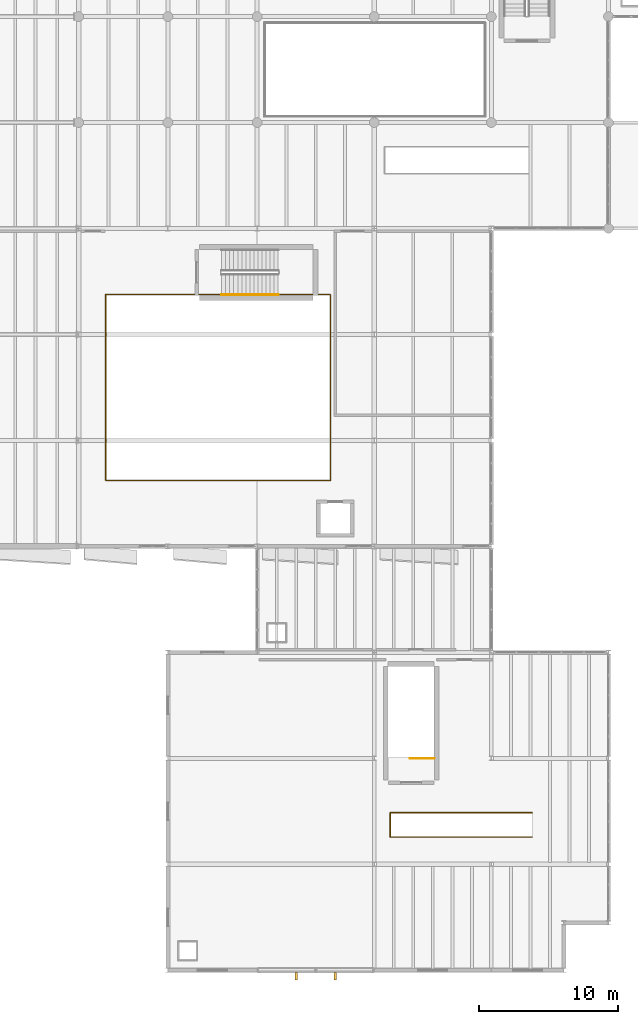
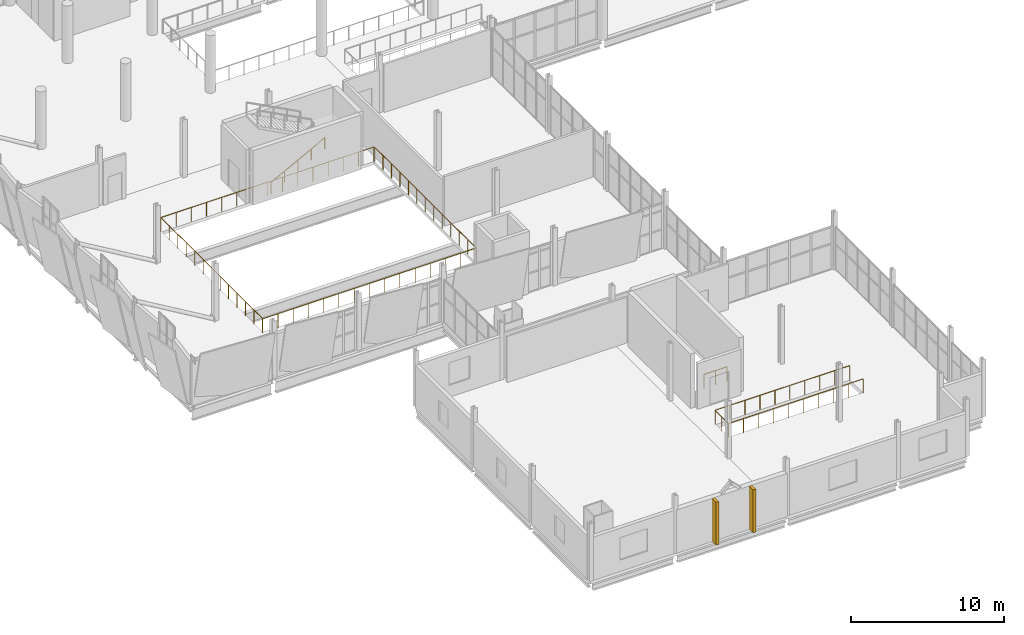
# One storey, part 127 of 136: 5 railings, 2 shading devices.
"""IFC4 building model written with IfcOpenShell, lengths in metres."""

from ifc_helpers import new_model, si_unit, direction, frame, origin, origin_2d, place, context, subcontext, project, spatial, rectangle, circle, extrude, material, layer, layer_set, type_object, element, save


model = new_model("IFC4")

# Units and contexts
model_context = context("Model", 3, precision=1e-05, world=origin(), true_north=direction((0.0, 1.0)))
body_context = subcontext(model_context, "Body", "Model", "MODEL_VIEW")
ifc_project = project(units=[si_unit("LENGTHUNIT", "METRE"), si_unit("AREAUNIT", "SQUARE_METRE"), si_unit("VOLUMEUNIT", "CUBIC_METRE"), si_unit("PLANEANGLEUNIT", "RADIAN"), si_unit("MASSUNIT", "GRAM", prefix="KILO")], contexts=[model_context])

# Site, building, storey
site_placement = place(None, origin())
site = spatial("IfcSite", under=ifc_project, at=site_placement, CompositionType="ELEMENT")
building_placement = place(site_placement, origin())
building = spatial("IfcBuilding", under=site, at=building_placement, Name="Shengluoqiao Park Theatre", CompositionType="ELEMENT")
storey_placement = place(building_placement, frame((0.0, 0.0, 10.0)))
storey = spatial("IfcBuildingStorey", under=building, at=storey_placement, Name="L02", CompositionType="ELEMENT", Elevation=10.0)

# Shading devices
ifc_material_1 = material(Name="Concrete C45", Category="concrete")
ifc_layer = layer(ifc_material_1, 0.199951171875, Name="Concrete C45")
ifc_layer_set = layer_set([ifc_layer], Name="Concrete C45")
shading_device_type = type_object("IfcShadingDeviceType", Name="ENV-FIN-520x200", PredefinedType="USERDEFINED", material=ifc_layer_set)
for number, where, z_axis, x_axis, name in (
    (1, (22.00341796875, -0.43505859375, 0.02001953125), (0.0, 0.0, 1.0), (0.0, -1.0, 0.0), "L02 Vertical Concrete Acoustic Rib 0144"),
    (2, (24.796630859375, -0.43505859375, 0.02001953125), (0.0, 0.0, 1.0), (0.0, -1.0, 0.0), "L02 Vertical Concrete Acoustic Rib 0145"),
):
    element("IfcShadingDevice", number, at=place(storey_placement, frame(where, z_axis=z_axis, x_axis=x_axis)), inside=storey, type_object=shading_device_type, Name=name, ObjectType="FIN", PredefinedType="USERDEFINED", context=body_context, shape_type="SweptSolid", body=[
        extrude(rectangle(XDim=0.52001953125, YDim=0.199951171875, at=origin_2d()), origin(), (0.0, 0.0, 1.0), 3.41796875),
    ])

# Railings
ifc_material_2 = material(Name="Tempered laminated glass", Category="glass")
railing_type_1 = type_object("IfcRailingType", Name="INT-RL-BAL115", PredefinedType="BALUSTRADE", material=ifc_material_2)
railing_1_placement = place(storey_placement, frame((38.919921875, 9.550048828125, 0.0)))
element("IfcRailing", 3, at=railing_1_placement, inside=storey, type_object=railing_type_1, Name="Park-Court Gallery Stair 08 Upper Upper Well Guard", PredefinedType="BALUSTRADE", context=body_context, shape_type="SweptSolid", body=[
    extrude(circle(Radius=0.02392578125, at=origin_2d()), frame((0.0, 0.0, 1.1259765625), z_axis=(-1.0, 0.0, 0.0), x_axis=(0.0, -1.0, 0.0)), (0.0, 0.0, 1.0), 10.169921875),
    extrude(circle(Radius=0.02392578125, at=origin_2d()), frame((-10.169921875, 0.0, 1.1259765625), z_axis=(0.0, 1.0, 0.0), x_axis=(-1.0, 0.0, 0.0)), (0.0, 0.0, 1.0), 1.75),
    extrude(circle(Radius=0.02392578125, at=origin_2d()), frame((-10.169921875, 1.75, 1.1259765625), z_axis=(1.0, 0.0, 0.0), x_axis=(0.0, 1.0, 0.0)), (0.0, 0.0, 1.0), 10.169921875),
    extrude(circle(Radius=0.02099609375, at=origin_2d()), origin(), (0.0, 0.0, 1.0), 1.101806640625),
    extrude(circle(Radius=0.02099609375, at=origin_2d()), frame((-1.1298828125, 0.0, 0.0)), (0.0, 0.0, 1.0), 1.101806640625),
    extrude(circle(Radius=0.02099609375, at=origin_2d()), frame((-2.260009765625, 0.0, 0.0)), (0.0, 0.0, 1.0), 1.101806640625),
    extrude(circle(Radius=0.02099609375, at=origin_2d()), frame((-3.389892578125, 0.0, 0.0)), (0.0, 0.0, 1.0), 1.101806640625),
    extrude(circle(Radius=0.02099609375, at=origin_2d()), frame((-4.52001953125, 0.0, 0.0)), (0.0, 0.0, 1.0), 1.101806640625),
    extrude(circle(Radius=0.02099609375, at=origin_2d()), frame((-5.64990234375, 0.0, 0.0)), (0.0, 0.0, 1.0), 1.101806640625),
    extrude(circle(Radius=0.02099609375, at=origin_2d()), frame((-6.780029296875, 0.0, 0.0)), (0.0, 0.0, 1.0), 1.101806640625),
    extrude(circle(Radius=0.02099609375, at=origin_2d()), frame((-7.909912109375, 0.0, 0.0)), (0.0, 0.0, 1.0), 1.101806640625),
    extrude(circle(Radius=0.02099609375, at=origin_2d()), frame((-9.0400390625, 0.0, 0.0)), (0.0, 0.0, 1.0), 1.101806640625),
    extrude(circle(Radius=0.02099609375, at=origin_2d()), frame((-10.169921875, 0.0, 0.0)), (0.0, 0.0, 1.0), 1.101806640625),
    extrude(circle(Radius=0.02099609375, at=origin_2d()), frame((-10.169921875, 0.875, 0.0)), (0.0, 0.0, 1.0), 1.101806640625),
    extrude(circle(Radius=0.02099609375, at=origin_2d()), frame((-10.169921875, 1.75, 0.0)), (0.0, 0.0, 1.0), 1.101806640625),
    extrude(circle(Radius=0.02099609375, at=origin_2d()), frame((-9.0400390625, 1.75, 0.0)), (0.0, 0.0, 1.0), 1.101806640625),
    extrude(circle(Radius=0.02099609375, at=origin_2d()), frame((-7.909912109375, 1.75, 0.0)), (0.0, 0.0, 1.0), 1.101806640625),
    extrude(circle(Radius=0.02099609375, at=origin_2d()), frame((-6.780029296875, 1.75, 0.0)), (0.0, 0.0, 1.0), 1.101806640625),
    extrude(circle(Radius=0.02099609375, at=origin_2d()), frame((-5.64990234375, 1.75, 0.0)), (0.0, 0.0, 1.0), 1.101806640625),
    extrude(circle(Radius=0.02099609375, at=origin_2d()), frame((-4.52001953125, 1.75, 0.0)), (0.0, 0.0, 1.0), 1.101806640625),
    extrude(circle(Radius=0.02099609375, at=origin_2d()), frame((-3.389892578125, 1.75, 0.0)), (0.0, 0.0, 1.0), 1.101806640625),
    extrude(circle(Radius=0.02099609375, at=origin_2d()), frame((-2.260009765625, 1.75, 0.0)), (0.0, 0.0, 1.0), 1.101806640625),
    extrude(circle(Radius=0.02099609375, at=origin_2d()), frame((-1.1298828125, 1.75, 0.0)), (0.0, 0.0, 1.0), 1.101806640625),
    extrude(circle(Radius=0.02099609375, at=origin_2d()), frame((0.0, 1.75, 0.0)), (0.0, 0.0, 1.0), 1.101806640625),
])
ifc_material_3 = material(Name="Steel Q355", Category="steel")
railing_type_2 = type_object("IfcRailingType", Name="INT-RL-FLY115", PredefinedType="GUARDRAIL", material=ifc_material_3)
railing_2_placement = place(storey_placement, frame((8.340087890625, 35.139892578125, 0.0)))
element("IfcRailing", 4, at=railing_2_placement, inside=storey, type_object=railing_type_2, Name="L02 VOID-L02-STUDIO South-East Balustrade 0008", PredefinedType="GUARDRAIL", context=body_context, shape_type="SweptSolid", body=[
    extrude(circle(Radius=0.02392578125, at=origin_2d()), frame((0.0, 0.0, 1.1259765625), z_axis=(1.0, 0.0, 0.0), x_axis=(0.0, 1.0, 0.0)), (0.0, 0.0, 1.0), 16.119873046875),
    extrude(circle(Radius=0.02392578125, at=origin_2d()), frame((16.119873046875, 0.0, 1.1259765625), z_axis=(0.0, 1.0, 0.0), x_axis=(-1.0, 0.0, 0.0)), (0.0, 0.0, 1.0), 13.280029296875),
    extrude(circle(Radius=0.02099609375, at=origin_2d()), origin(), (0.0, 0.0, 1.0), 1.101806640625),
    extrude(circle(Radius=0.02099609375, at=origin_2d()), frame((1.1513671875, 0.0, 0.0)), (0.0, 0.0, 1.0), 1.101806640625),
    extrude(circle(Radius=0.02099609375, at=origin_2d()), frame((2.302734375, 0.0, 0.0)), (0.0, 0.0, 1.0), 1.101806640625),
    extrude(circle(Radius=0.02099609375, at=origin_2d()), frame((3.454345703125, 0.0, 0.0)), (0.0, 0.0, 1.0), 1.101806640625),
    extrude(circle(Radius=0.02099609375, at=origin_2d()), frame((4.605712890625, 0.0, 0.0)), (0.0, 0.0, 1.0), 1.101806640625),
    extrude(circle(Radius=0.02099609375, at=origin_2d()), frame((5.757080078125, 0.0, 0.0)), (0.0, 0.0, 1.0), 1.101806640625),
    extrude(circle(Radius=0.02099609375, at=origin_2d()), frame((6.908447265625, 0.0, 0.0)), (0.0, 0.0, 1.0), 1.101806640625),
    extrude(circle(Radius=0.02099609375, at=origin_2d()), frame((8.06005859375, 0.0, 0.0)), (0.0, 0.0, 1.0), 1.101806640625),
    extrude(circle(Radius=0.02099609375, at=origin_2d()), frame((9.21142578125, 0.0, 0.0)), (0.0, 0.0, 1.0), 1.101806640625),
    extrude(circle(Radius=0.02099609375, at=origin_2d()), frame((10.36279296875, 0.0, 0.0)), (0.0, 0.0, 1.0), 1.101806640625),
    extrude(circle(Radius=0.02099609375, at=origin_2d()), frame((11.51416015625, 0.0, 0.0)), (0.0, 0.0, 1.0), 1.101806640625),
    extrude(circle(Radius=0.02099609375, at=origin_2d()), frame((12.66552734375, 0.0, 0.0)), (0.0, 0.0, 1.0), 1.101806640625),
    extrude(circle(Radius=0.02099609375, at=origin_2d()), frame((13.817138671875, 0.0, 0.0)), (0.0, 0.0, 1.0), 1.101806640625),
    extrude(circle(Radius=0.02099609375, at=origin_2d()), frame((14.968505859375, 0.0, 0.0)), (0.0, 0.0, 1.0), 1.101806640625),
    extrude(circle(Radius=0.02099609375, at=origin_2d()), frame((16.119873046875, 0.0, 0.0)), (0.0, 0.0, 1.0), 1.101806640625),
    extrude(circle(Radius=0.02099609375, at=origin_2d()), frame((16.119873046875, 1.106689453125, 0.0)), (0.0, 0.0, 1.0), 1.101806640625),
    extrude(circle(Radius=0.02099609375, at=origin_2d()), frame((16.119873046875, 2.21337890625, 0.0)), (0.0, 0.0, 1.0), 1.101806640625),
    extrude(circle(Radius=0.02099609375, at=origin_2d()), frame((16.119873046875, 3.320068359375, 0.0)), (0.0, 0.0, 1.0), 1.101806640625),
    extrude(circle(Radius=0.02099609375, at=origin_2d()), frame((16.119873046875, 4.4267578125, 0.0)), (0.0, 0.0, 1.0), 1.101806640625),
    extrude(circle(Radius=0.02099609375, at=origin_2d()), frame((16.119873046875, 5.533447265625, 0.0)), (0.0, 0.0, 1.0), 1.101806640625),
    extrude(circle(Radius=0.02099609375, at=origin_2d()), frame((16.119873046875, 6.64013671875, 0.0)), (0.0, 0.0, 1.0), 1.101806640625),
    extrude(circle(Radius=0.02099609375, at=origin_2d()), frame((16.119873046875, 7.74658203125, 0.0)), (0.0, 0.0, 1.0), 1.101806640625),
    extrude(circle(Radius=0.02099609375, at=origin_2d()), frame((16.119873046875, 8.853271484375, 0.0)), (0.0, 0.0, 1.0), 1.101806640625),
    extrude(circle(Radius=0.02099609375, at=origin_2d()), frame((16.119873046875, 9.9599609375, 0.0)), (0.0, 0.0, 1.0), 1.101806640625),
    extrude(circle(Radius=0.02099609375, at=origin_2d()), frame((16.119873046875, 11.066650390625, 0.0)), (0.0, 0.0, 1.0), 1.101806640625),
    extrude(circle(Radius=0.02099609375, at=origin_2d()), frame((16.119873046875, 12.17333984375, 0.0)), (0.0, 0.0, 1.0), 1.101806640625),
    extrude(circle(Radius=0.02099609375, at=origin_2d()), frame((16.119873046875, 13.280029296875, 0.0)), (0.0, 0.0, 1.0), 1.101806640625),
])
railing_3_placement = place(storey_placement, frame((24.419921875, 48.4599609375, 0.0)))
element("IfcRailing", 5, at=railing_3_placement, inside=storey, type_object=railing_type_2, Name="L02 VOID-L02-STUDIO North-West Balustrade 0009", PredefinedType="GUARDRAIL", context=body_context, shape_type="SweptSolid", body=[
    extrude(circle(Radius=0.02392578125, at=origin_2d()), frame((0.0, 0.0, 1.1259765625), z_axis=(-1.0, 0.0, 0.0), x_axis=(0.0, -1.0, 0.0)), (0.0, 0.0, 1.0), 16.079833984375),
    extrude(circle(Radius=0.02392578125, at=origin_2d()), frame((-16.079833984375, 0.0, 1.1259765625), z_axis=(0.0, -1.0, 0.0), x_axis=(1.0, 0.0, 0.0)), (0.0, 0.0, 1.0), 13.280029296875),
    extrude(circle(Radius=0.02099609375, at=origin_2d()), origin(), (0.0, 0.0, 1.0), 1.101806640625),
    extrude(circle(Radius=0.02099609375, at=origin_2d()), frame((-1.1484375, 0.0, 0.0)), (0.0, 0.0, 1.0), 1.101806640625),
    extrude(circle(Radius=0.02099609375, at=origin_2d()), frame((-2.297119140625, 0.0, 0.0)), (0.0, 0.0, 1.0), 1.101806640625),
    extrude(circle(Radius=0.02099609375, at=origin_2d()), frame((-3.44580078125, 0.0, 0.0)), (0.0, 0.0, 1.0), 1.101806640625),
    extrude(circle(Radius=0.02099609375, at=origin_2d()), frame((-4.59423828125, 0.0, 0.0)), (0.0, 0.0, 1.0), 1.101806640625),
    extrude(circle(Radius=0.02099609375, at=origin_2d()), frame((-5.74267578125, 0.0, 0.0)), (0.0, 0.0, 1.0), 1.101806640625),
    extrude(circle(Radius=0.02099609375, at=origin_2d()), frame((-6.891357421875, 0.0, 0.0)), (0.0, 0.0, 1.0), 1.101806640625),
    extrude(circle(Radius=0.02099609375, at=origin_2d()), frame((-8.0400390625, 0.0, 0.0)), (0.0, 0.0, 1.0), 1.101806640625),
    extrude(circle(Radius=0.02099609375, at=origin_2d()), frame((-9.1884765625, 0.0, 0.0)), (0.0, 0.0, 1.0), 1.101806640625),
    extrude(circle(Radius=0.02099609375, at=origin_2d()), frame((-10.3369140625, 0.0, 0.0)), (0.0, 0.0, 1.0), 1.101806640625),
    extrude(circle(Radius=0.02099609375, at=origin_2d()), frame((-11.485595703125, 0.0, 0.0)), (0.0, 0.0, 1.0), 1.101806640625),
    extrude(circle(Radius=0.02099609375, at=origin_2d()), frame((-12.63427734375, 0.0, 0.0)), (0.0, 0.0, 1.0), 1.101806640625),
    extrude(circle(Radius=0.02099609375, at=origin_2d()), frame((-13.78271484375, 0.0, 0.0)), (0.0, 0.0, 1.0), 1.101806640625),
    extrude(circle(Radius=0.02099609375, at=origin_2d()), frame((-14.93115234375, 0.0, 0.0)), (0.0, 0.0, 1.0), 1.101806640625),
    extrude(circle(Radius=0.02099609375, at=origin_2d()), frame((-16.079833984375, 0.0, 0.0)), (0.0, 0.0, 1.0), 1.101806640625),
    extrude(circle(Radius=0.02099609375, at=origin_2d()), frame((-16.079833984375, -1.106689453125, 0.0)), (0.0, 0.0, 1.0), 1.101806640625),
    extrude(circle(Radius=0.02099609375, at=origin_2d()), frame((-16.079833984375, -2.21337890625, 0.0)), (0.0, 0.0, 1.0), 1.101806640625),
    extrude(circle(Radius=0.02099609375, at=origin_2d()), frame((-16.079833984375, -3.320068359375, 0.0)), (0.0, 0.0, 1.0), 1.101806640625),
    extrude(circle(Radius=0.02099609375, at=origin_2d()), frame((-16.079833984375, -4.4267578125, 0.0)), (0.0, 0.0, 1.0), 1.101806640625),
    extrude(circle(Radius=0.02099609375, at=origin_2d()), frame((-16.079833984375, -5.533447265625, 0.0)), (0.0, 0.0, 1.0), 1.101806640625),
    extrude(circle(Radius=0.02099609375, at=origin_2d()), frame((-16.079833984375, -6.64013671875, 0.0)), (0.0, 0.0, 1.0), 1.101806640625),
    extrude(circle(Radius=0.02099609375, at=origin_2d()), frame((-16.079833984375, -7.74658203125, 0.0)), (0.0, 0.0, 1.0), 1.101806640625),
    extrude(circle(Radius=0.02099609375, at=origin_2d()), frame((-16.079833984375, -8.853271484375, 0.0)), (0.0, 0.0, 1.0), 1.101806640625),
    extrude(circle(Radius=0.02099609375, at=origin_2d()), frame((-16.079833984375, -9.9599609375, 0.0)), (0.0, 0.0, 1.0), 1.101806640625),
    extrude(circle(Radius=0.02099609375, at=origin_2d()), frame((-16.079833984375, -11.066650390625, 0.0)), (0.0, 0.0, 1.0), 1.101806640625),
    extrude(circle(Radius=0.02099609375, at=origin_2d()), frame((-16.079833984375, -12.17333984375, 0.0)), (0.0, 0.0, 1.0), 1.101806640625),
    extrude(circle(Radius=0.02099609375, at=origin_2d()), frame((-16.079833984375, -13.280029296875, 0.0)), (0.0, 0.0, 1.0), 1.101806640625),
])
ifc_material_4 = material(Name="Painted steel", Category="steel")
railing_type_3 = type_object("IfcRailingType", Name="INT-RL-STGRD", PredefinedType="GUARDRAIL", material=ifc_material_4)
railing_4_placement = place(storey_placement, frame((31.89990234375, 15.199951171875, 0.0)))
element("IfcRailing", 6, at=railing_4_placement, inside=storey, type_object=railing_type_3, Name="L02 ST-04 top well guard 1", PredefinedType="GUARDRAIL", context=body_context, shape_type="SweptSolid", body=[
    extrude(circle(Radius=0.02392578125, at=origin_2d()), frame((0.0, 0.0, 1.1259765625), z_axis=(-1.0, 0.0, 0.0), x_axis=(0.0, -1.0, 0.0)), (0.0, 0.0, 1.0), 1.739990234375),
    extrude(circle(Radius=0.02099609375, at=origin_2d()), origin(), (0.0, 0.0, 1.0), 1.101806640625),
    extrude(circle(Radius=0.02099609375, at=origin_2d()), frame((-0.8701171875, 0.0, 0.0)), (0.0, 0.0, 1.0), 1.101806640625),
    extrude(circle(Radius=0.02099609375, at=origin_2d()), frame((-1.739990234375, 0.0, 0.0)), (0.0, 0.0, 1.0), 1.101806640625),
])
ifc_material_5 = material(Name="Stainless steel 304", Category="steel")
railing_type_4 = type_object("IfcRailingType", Name="INT-RL-STHR", PredefinedType="HANDRAIL", material=ifc_material_5)
railing_5_placement = place(storey_placement, frame((16.64990234375, 48.449951171875, 0.1533203125)))
element("IfcRailing", 7, at=railing_5_placement, inside=storey, type_object=railing_type_4, Name="L02 ST-13 stair handrail 1", PredefinedType="HANDRAIL", context=body_context, shape_type="SweptSolid", body=[
    extrude(circle(Radius=0.02392578125, at=origin_2d()), frame((0.0, 0.0, 0.8759765625), z_axis=(0.884032182968, 0.0, 0.46742603637), x_axis=(0.0, 1.0, 0.0)), (0.0, 0.0, 1.0), 4.5927734375),
    extrude(circle(Radius=0.02099609375, at=origin_2d()), origin(), (0.0, 0.0, 1.0), 0.851806640625),
    extrude(circle(Radius=0.02099609375, at=origin_2d()), frame((1.01513671875, 0.0, 0.53662109375)), (0.0, 0.0, 1.0), 0.851806640625),
    extrude(circle(Radius=0.02099609375, at=origin_2d()), frame((2.030029296875, 0.0, 1.0732421875)), (0.0, 0.0, 1.0), 0.851806640625),
    extrude(circle(Radius=0.02099609375, at=origin_2d()), frame((3.044921875, 0.0, 1.610107421875)), (0.0, 0.0, 1.0), 0.851806640625),
    extrude(circle(Radius=0.02099609375, at=origin_2d()), frame((4.06005859375, 0.0, 2.146728515625)), (0.0, 0.0, 1.0), 0.851806640625),
])

save(model, "model.ifc")
